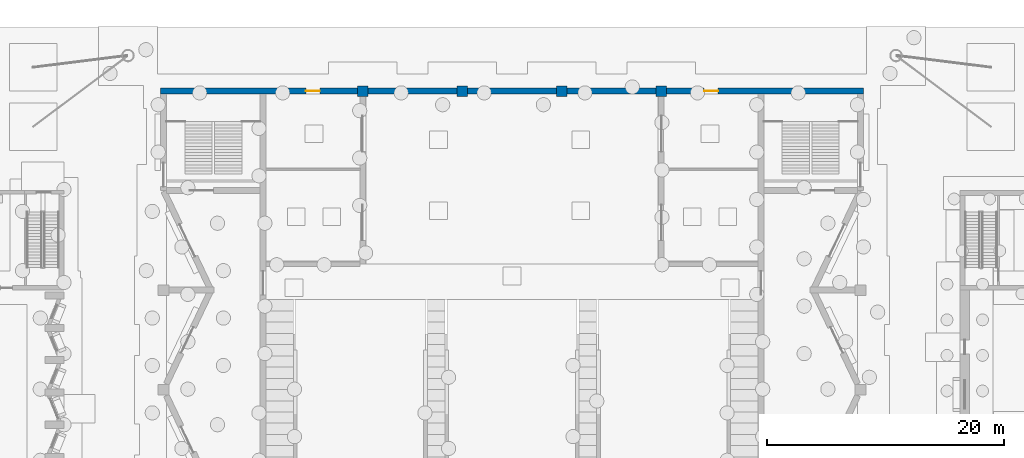
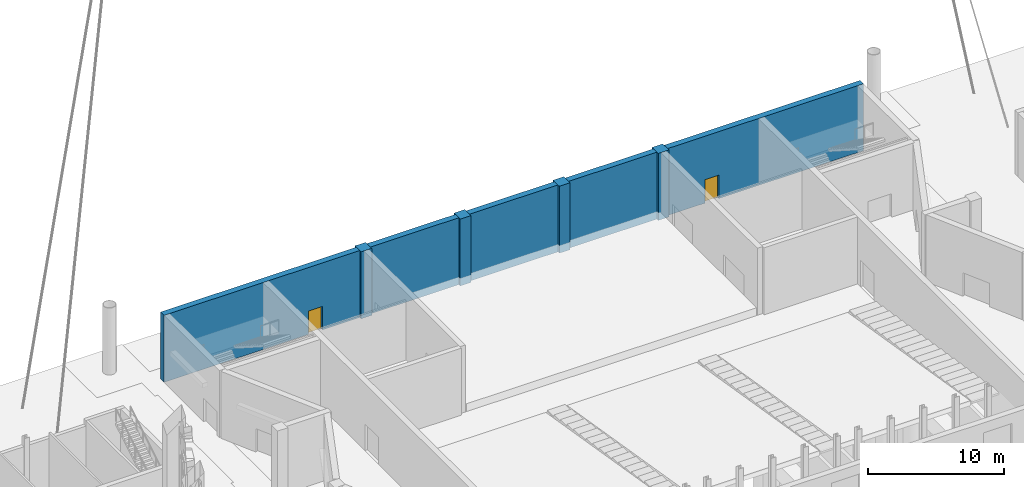
# One storey, part 76 of 108: 9 walls, 2 doors, 2 openings.
"""IFC4 building model written with IfcOpenShell, lengths in metres."""

from ifc_helpers import new_model, si_unit, direction, frame, frame_2d, origin, place, context, subcontext, project, spatial, rectangle, extrude, material, layer, layer_set, type_object, element, fill, save


model = new_model("IFC4")

# Units and contexts
model_context = context("Model", 3, precision=1e-05, world=origin(), true_north=direction((0.0, 1.0)))
body_context = subcontext(model_context, "Body", "Model", "MODEL_VIEW")
ifc_project = project(units=[si_unit("LENGTHUNIT", "METRE"), si_unit("AREAUNIT", "SQUARE_METRE"), si_unit("VOLUMEUNIT", "CUBIC_METRE"), si_unit("PLANEANGLEUNIT", "RADIAN"), si_unit("MASSUNIT", "GRAM", prefix="KILO")], contexts=[model_context])

# Site, building, storey
site_placement = place(None, origin())
site = spatial("IfcSite", under=ifc_project, at=site_placement, CompositionType="ELEMENT")
building_placement = place(site_placement, origin())
building = spatial("IfcBuilding", under=site, at=building_placement, Name="Cresset Court Congress Hotel", CompositionType="ELEMENT")
storey_placement = place(building_placement, origin())
storey = spatial("IfcBuildingStorey", under=building, at=storey_placement, Name="L00", CompositionType="ELEMENT", Elevation=0.0)

# Wall, opening, door
ifc_material_1 = material(Name="Limestone-faced precast concrete C50", Category="masonry")
ifc_layer_1 = layer(ifc_material_1, 0.5)
ifc_layer_set_1 = layer_set([ifc_layer_1], Name="Hall perimeter wall 500")
wall_type_1 = type_object("IfcWallType", Name="Hall perimeter wall 500", PredefinedType="SOLIDWALL", material=ifc_layer_set_1)
wall_1_placement = place(storey_placement, frame((101.25, 117.60009765625, 0.0), z_axis=(0.0, 0.0, 1.0), x_axis=(1.0, 0.0, 0.0)))
wall_1 = element("IfcWall", 1, at=wall_1_placement, inside=storey, type_object=wall_type_1, Name="Wall CW-NL00-1", PredefinedType="SOLIDWALL", context=body_context, shape_type="SweptSolid", body=[
    extrude(rectangle(XDim=16.60009765625, YDim=0.5, at=frame_2d((8.300048828125, 0.0))), origin(), (0.0, 0.0, 1.0), 6.0),
])
opening_1_placement = place(wall_1_placement, frame((3.14990234375, 0.0, 0.0)))
opening_1 = element("IfcOpeningElement", 2, at=opening_1_placement, cuts=wall_1, Name="Opening DC-00-29", PredefinedType="OPENING", context=body_context, shape_type="SweptSolid", body=[
    extrude(rectangle(XDim=1.199951171875, YDim=2.10009765625, at=frame_2d((0.60009765625, 1.050048828125))), frame((0.0, 0.260009765625, 0.0), z_axis=(0.0, -1.0, 0.0), x_axis=(1.0, 0.0, 0.0)), (0.0, 0.0, 1.0), 0.52001953125),
])
ifc_material_2 = material(Name="Timber", Category="wood")
door_type = type_object("IfcDoorType", Name="Single swing door 1200x2100", OperationType="SINGLE_SWING_LEFT", PredefinedType="DOOR", material=ifc_material_2)
door_1_placement = place(opening_1_placement, origin())
door_1 = element("IfcDoor", 3, at=door_1_placement, inside=storey, type_object=door_type, Name="Green room service door E", OperationType="SINGLE_SWING_LEFT", OverallHeight=2.10009765625, OverallWidth=1.199951171875, PredefinedType="DOOR", context=body_context, shape_type="SweptSolid", body=[
    extrude(rectangle(XDim=1.199951171875, YDim=2.10009765625, at=frame_2d((0.60009765625, 1.050048828125))), frame((0.0, 0.02490234375, 0.0), z_axis=(0.0, -1.0, 0.0), x_axis=(1.0, 0.0, 0.0)), (0.0, 0.0, 1.0), 0.050048828125),
])
fill(opening_1, door_1)

# Walls
for number, where, z_axis, x_axis, name in (
    (4, (92.85009765625, 117.60009765625, 0.0), (0.0, 0.0, 1.0), (1.0, 0.0, 0.0), "Wall CW-NL00-2"),
    (5, (84.449951171875, 117.60009765625, 0.0), (0.0, 0.0, 1.0), (1.0, 0.0, 0.0), "Wall CW-NL00-3"),
    (6, (76.050048828125, 117.60009765625, 0.0), (0.0, 0.0, 1.0), (1.0, 0.0, 0.0), "Wall CW-NL00-4"),
):
    element("IfcWall", number, at=place(storey_placement, frame(where, z_axis=z_axis, x_axis=x_axis)), inside=storey, type_object=wall_type_1, Name=name, PredefinedType="SOLIDWALL", context=body_context, shape_type="SweptSolid", body=[
        extrude(rectangle(XDim=7.5, YDim=0.5, at=frame_2d((3.75, 0.0))), origin(), (0.0, 0.0, 1.0), 6.0),
    ])

# Wall, opening, door
wall_2_placement = place(storey_placement, frame((58.550048828125, 117.60009765625, 0.0), z_axis=(0.0, 0.0, 1.0), x_axis=(1.0, 0.0, 0.0)))
wall_2 = element("IfcWall", 7, at=wall_2_placement, inside=storey, type_object=wall_type_1, Name="Wall CW-NL00-5", PredefinedType="SOLIDWALL", context=body_context, shape_type="SweptSolid", body=[
    extrude(rectangle(XDim=16.599853515625, YDim=0.5, at=frame_2d((8.2998046875, 0.0))), origin(), (0.0, 0.0, 1.0), 6.0),
])
opening_2_placement = place(wall_2_placement, frame((12.25, 0.0, 0.0)))
opening_2 = element("IfcOpeningElement", 8, at=opening_2_placement, cuts=wall_2, Name="Opening DC-00-28", PredefinedType="OPENING", context=body_context, shape_type="SweptSolid", body=[
    extrude(rectangle(XDim=1.199951171875, YDim=2.10009765625, at=frame_2d((0.60009765625, 1.050048828125))), frame((0.0, 0.260009765625, 0.0), z_axis=(0.0, -1.0, 0.0), x_axis=(1.0, 0.0, 0.0)), (0.0, 0.0, 1.0), 0.52001953125),
])
door_2_placement = place(opening_2_placement, origin())
door_2 = element("IfcDoor", 9, at=door_2_placement, inside=storey, type_object=door_type, Name="Green room service door W", OperationType="SINGLE_SWING_LEFT", OverallHeight=2.10009765625, OverallWidth=1.199951171875, PredefinedType="DOOR", context=body_context, shape_type="SweptSolid", body=[
    extrude(rectangle(XDim=1.199951171875, YDim=2.10009765625, at=frame_2d((0.60009765625, 1.050048828125))), frame((0.0, 0.02490234375, 0.0), z_axis=(0.0, -1.0, 0.0), x_axis=(1.0, 0.0, 0.0)), (0.0, 0.0, 1.0), 0.050048828125),
])
fill(opening_2, door_2)

# Walls
ifc_material_3 = material(Name="Concrete C50", Category="concrete")
ifc_layer_2 = layer(ifc_material_3, 0.89990234375)
ifc_layer_set_2 = layer_set([ifc_layer_2], Name="Hall pilaster 900x900")
wall_type_2 = type_object("IfcWallType", Name="Hall pilaster 900x900", PredefinedType="SOLIDWALL", material=ifc_layer_set_2)
wall_3_placement = place(storey_placement, frame((101.25, 117.60009765625, 0.0), z_axis=(0.0, 0.0, 1.0), x_axis=(-1.0, 0.0, 0.0)))
element("IfcWall", 10, at=wall_3_placement, inside=storey, type_object=wall_type_2, Name="Pilaster P-N1", PredefinedType="SOLIDWALL", context=body_context, shape_type="SweptSolid", body=[
    extrude(rectangle(XDim=0.89990234375, YDim=0.89990234375, at=frame_2d((0.449951171875, 0.0))), origin(), (0.0, 0.0, 1.0), 6.0),
])
wall_4_placement = place(storey_placement, frame((92.85009765625, 117.60009765625, 0.0), z_axis=(0.0, 0.0, 1.0), x_axis=(-1.0, 0.0, 0.0)))
element("IfcWall", 11, at=wall_4_placement, inside=storey, type_object=wall_type_2, Name="Pilaster P-N2", PredefinedType="SOLIDWALL", context=body_context, shape_type="SweptSolid", body=[
    extrude(rectangle(XDim=0.900146484375, YDim=0.89990234375, at=frame_2d((0.4501953125, 0.0))), origin(), (0.0, 0.0, 1.0), 6.0),
])
wall_5_placement = place(storey_placement, frame((84.449951171875, 117.60009765625, 0.0), z_axis=(0.0, 0.0, 1.0), x_axis=(-1.0, 0.0, 0.0)))
element("IfcWall", 12, at=wall_5_placement, inside=storey, type_object=wall_type_2, Name="Pilaster P-N3", PredefinedType="SOLIDWALL", context=body_context, shape_type="SweptSolid", body=[
    extrude(rectangle(XDim=0.89990234375, YDim=0.89990234375, at=frame_2d((0.449951171875, 0.0))), origin(), (0.0, 0.0, 1.0), 6.0),
])
wall_6_placement = place(storey_placement, frame((76.050048828125, 117.60009765625, 0.0), z_axis=(0.0, 0.0, 1.0), x_axis=(-1.0, 0.0, 0.0)))
element("IfcWall", 13, at=wall_6_placement, inside=storey, type_object=wall_type_2, Name="Pilaster P-N4", PredefinedType="SOLIDWALL", context=body_context, shape_type="SweptSolid", body=[
    extrude(rectangle(XDim=0.900146484375, YDim=0.89990234375, at=frame_2d((0.4501953125, 0.0))), origin(), (0.0, 0.0, 1.0), 6.0),
])

save(model, "model.ifc")
